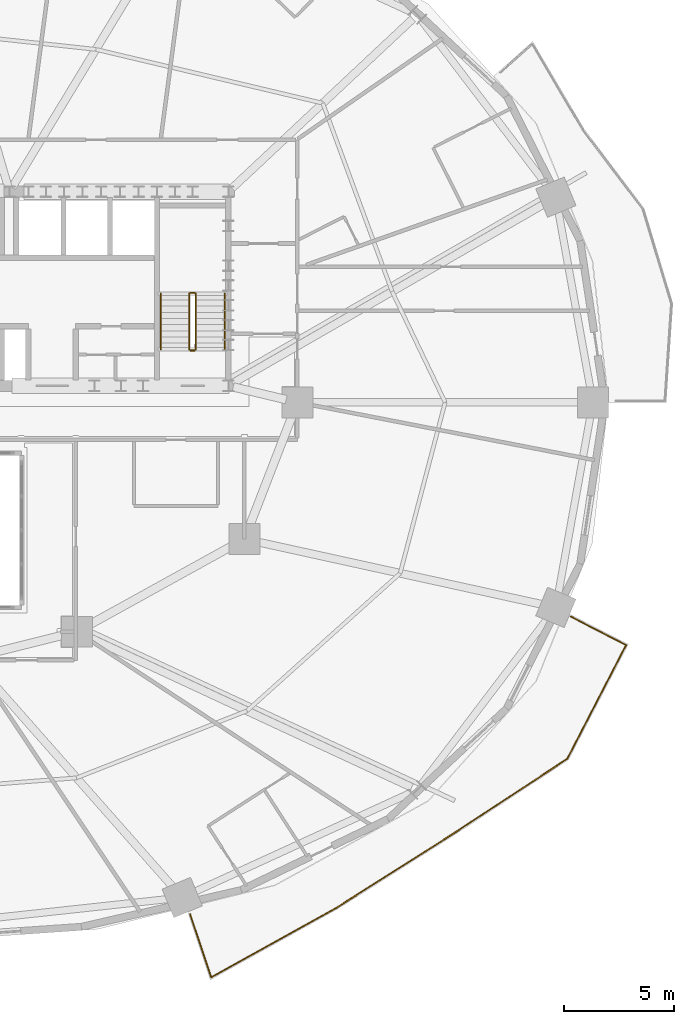
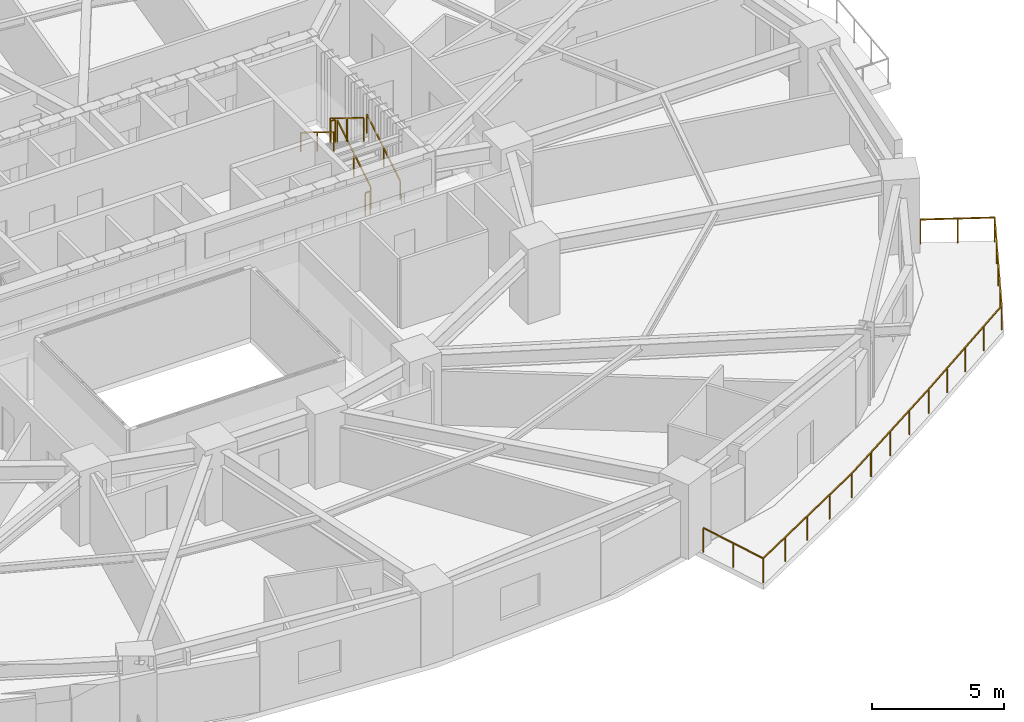
# One storey, part 16 of 17: 7 railings.
"""IFC4 building model written with IfcOpenShell, lengths in metres."""

from ifc_helpers import new_model, si_unit, direction, frame, origin, origin_2d, place, context, subcontext, project, spatial, rectangle, extrude, material, type_object, element, save


model = new_model("IFC4")

# Units and contexts
model_context = context("Model", 3, precision=1e-05, world=origin(), true_north=direction((0.0, 1.0)))
body_context = subcontext(model_context, "Body", "Model", "MODEL_VIEW")
ifc_project = project(units=[si_unit("LENGTHUNIT", "METRE"), si_unit("AREAUNIT", "SQUARE_METRE"), si_unit("VOLUMEUNIT", "CUBIC_METRE"), si_unit("PLANEANGLEUNIT", "RADIAN"), si_unit("MASSUNIT", "GRAM", prefix="KILO")], contexts=[model_context])

# Site, building, storey
site_placement = place(None, origin())
site = spatial("IfcSite", under=ifc_project, at=site_placement, CompositionType="ELEMENT")
building_placement = place(site_placement, origin())
building = spatial("IfcBuilding", under=site, at=building_placement, Name="Haldorwick Loom Tower", CompositionType="ELEMENT")
storey_placement = place(building_placement, frame((0.0, 0.0, 58.5)))
storey = spatial("IfcBuildingStorey", under=building, at=storey_placement, Name="L15", CompositionType="ELEMENT", Elevation=58.5)

# Railings
ifc_material_1 = material(Name="Galvanized Steel CSA G40.21 350W", Category="steel")
railing_type_1 = type_object("IfcRailingType", Name="ARC-RLG-BAL115", PredefinedType="BALUSTRADE", material=ifc_material_1)
railing_1_placement = place(storey_placement, frame((65.593017578125, 16.288818359375, 0.0)))
element("IfcRailing", 1, at=railing_1_placement, inside=storey, type_object=railing_type_1, Name="L15 Outdoor Terrace Guardrail SLB-L15-BAL_SE-1", PredefinedType="BALUSTRADE", context=body_context, shape_type="SweptSolid", body=[
    extrude(rectangle(XDim=0.048095703125, YDim=0.048095703125, at=origin_2d()), frame((0.0, 0.0, 1.1259765625), z_axis=(0.888909431133, -0.458082987289, 0.0), x_axis=(0.458082987289, 0.888909431133, 0.0)), (0.0, 0.0, 1.0), 2.821533203125),
    extrude(rectangle(XDim=0.048095703125, YDim=0.048095703125, at=origin_2d()), frame((2.508056640625, -1.29248046875, 1.1259765625), z_axis=(-0.459876733973, -0.887982764219, 0.0), x_axis=(0.887982764219, -0.459876733973, 0.0)), (0.0, 0.0, 1.0), 5.8095703125),
    extrude(rectangle(XDim=0.048095703125, YDim=0.048095703125, at=origin_2d()), frame((-0.16357421875, -6.451171875, 1.1259765625), z_axis=(-0.835627954214, -0.549295842089, 0.0), x_axis=(0.549295842089, -0.835627954214, 0.0)), (0.0, 0.0, 1.0), 6.153564453125),
    extrude(rectangle(XDim=0.048095703125, YDim=0.048095703125, at=origin_2d()), frame((-5.3056640625, -9.831298828125, 1.1259765625), z_axis=(-0.844437349753, -0.535654331021, 0.0), x_axis=(0.535654331021, -0.844437349753, 0.0)), (0.0, 0.0, 1.0), 6.277099609375),
    extrude(rectangle(XDim=0.048095703125, YDim=0.048095703125, at=origin_2d()), frame((-10.606201171875, -13.193603515625, 1.1259765625), z_axis=(-0.873916825296, -0.4860754905, 0.0), x_axis=(0.4860754905, -0.873916825296, 0.0)), (0.0, 0.0, 1.0), 6.516357421875),
    extrude(rectangle(XDim=0.048095703125, YDim=0.048095703125, at=origin_2d()), frame((-16.301025390625, -16.361083984375, 1.1259765625), z_axis=(-0.316567358246, 0.948570033099, 0.0), x_axis=(-0.948570033099, -0.316567358246, 0.0)), (0.0, 0.0, 1.0), 3.019287109375),
    extrude(rectangle(XDim=0.0419921875, YDim=0.0419921875, at=origin_2d()), origin(), (0.0, 0.0, 1.0), 1.101806640625),
    extrude(rectangle(XDim=0.0419921875, YDim=0.0419921875, at=origin_2d()), frame((1.25390625, -0.646240234375, 0.0)), (0.0, 0.0, 1.0), 1.101806640625),
    extrude(rectangle(XDim=0.0419921875, YDim=0.0419921875, at=origin_2d()), frame((2.508056640625, -1.29248046875, 0.0)), (0.0, 0.0, 1.0), 1.101806640625),
    extrude(rectangle(XDim=0.0419921875, YDim=0.0419921875, at=origin_2d()), frame((1.840087890625, -2.58203125, 0.0)), (0.0, 0.0, 1.0), 1.101806640625),
    extrude(rectangle(XDim=0.0419921875, YDim=0.0419921875, at=origin_2d()), frame((1.17236328125, -3.871826171875, 0.0)), (0.0, 0.0, 1.0), 1.101806640625),
    extrude(rectangle(XDim=0.0419921875, YDim=0.0419921875, at=origin_2d()), frame((0.50439453125, -5.16162109375, 0.0)), (0.0, 0.0, 1.0), 1.101806640625),
    extrude(rectangle(XDim=0.0419921875, YDim=0.0419921875, at=origin_2d()), frame((-0.16357421875, -6.451171875, 0.0)), (0.0, 0.0, 1.0), 1.101806640625),
    extrude(rectangle(XDim=0.0419921875, YDim=0.0419921875, at=origin_2d()), frame((-1.44921875, -7.296142578125, 0.0)), (0.0, 0.0, 1.0), 1.101806640625),
    extrude(rectangle(XDim=0.0419921875, YDim=0.0419921875, at=origin_2d()), frame((-2.734619140625, -8.14111328125, 0.0)), (0.0, 0.0, 1.0), 1.101806640625),
    extrude(rectangle(XDim=0.0419921875, YDim=0.0419921875, at=origin_2d()), frame((-4.02001953125, -8.986328125, 0.0)), (0.0, 0.0, 1.0), 1.101806640625),
    extrude(rectangle(XDim=0.0419921875, YDim=0.0419921875, at=origin_2d()), frame((-5.3056640625, -9.831298828125, 0.0)), (0.0, 0.0, 1.0), 1.101806640625),
    extrude(rectangle(XDim=0.0419921875, YDim=0.0419921875, at=origin_2d()), frame((-6.630859375, -10.671875, 0.0)), (0.0, 0.0, 1.0), 1.101806640625),
    extrude(rectangle(XDim=0.0419921875, YDim=0.0419921875, at=origin_2d()), frame((-7.9560546875, -11.512451171875, 0.0)), (0.0, 0.0, 1.0), 1.101806640625),
    extrude(rectangle(XDim=0.0419921875, YDim=0.0419921875, at=origin_2d()), frame((-9.281005859375, -12.35302734375, 0.0)), (0.0, 0.0, 1.0), 1.101806640625),
    extrude(rectangle(XDim=0.0419921875, YDim=0.0419921875, at=origin_2d()), frame((-10.606201171875, -13.193603515625, 0.0)), (0.0, 0.0, 1.0), 1.101806640625),
    extrude(rectangle(XDim=0.0419921875, YDim=0.0419921875, at=origin_2d()), frame((-12.02978515625, -13.9853515625, 0.0)), (0.0, 0.0, 1.0), 1.101806640625),
    extrude(rectangle(XDim=0.0419921875, YDim=0.0419921875, at=origin_2d()), frame((-13.45361328125, -14.77734375, 0.0)), (0.0, 0.0, 1.0), 1.101806640625),
    extrude(rectangle(XDim=0.0419921875, YDim=0.0419921875, at=origin_2d()), frame((-14.87744140625, -15.5693359375, 0.0)), (0.0, 0.0, 1.0), 1.101806640625),
    extrude(rectangle(XDim=0.0419921875, YDim=0.0419921875, at=origin_2d()), frame((-16.301025390625, -16.361083984375, 0.0)), (0.0, 0.0, 1.0), 1.101806640625),
    extrude(rectangle(XDim=0.0419921875, YDim=0.0419921875, at=origin_2d()), frame((-16.77880859375, -14.92919921875, 0.0)), (0.0, 0.0, 1.0), 1.101806640625),
    extrude(rectangle(XDim=0.0419921875, YDim=0.0419921875, at=origin_2d()), frame((-17.2568359375, -13.4970703125, 0.0)), (0.0, 0.0, 1.0), 1.101806640625),
])
ifc_material_2 = material(Name="Steel CSA G40.21 350W", Category="steel")
railing_type_2 = type_object("IfcRailingType", Name="ARC-RLG-GUARD112", PredefinedType="GUARDRAIL", material=ifc_material_2)
railing_2_placement = place(storey_placement, frame((48.60009765625, 28.39990234375, 0.172607421875)))
element("IfcRailing", 2, at=railing_2_placement, inside=storey, type_object=railing_type_2, Name="L15 ST-02 stair guard 1", PredefinedType="GUARDRAIL", context=body_context, shape_type="SweptSolid", body=[
    extrude(rectangle(XDim=0.048095703125, YDim=0.048095703125, at=origin_2d()), frame((0.0, 0.0, 1.076171875), z_axis=(0.0, 0.851400495292, 0.524516154772), x_axis=(-1.0, 0.0, 0.0)), (0.0, 0.0, 1.0), 2.9599609375),
    extrude(rectangle(XDim=0.0419921875, YDim=0.0419921875, at=origin_2d()), origin(), (0.0, 0.0, 1.0), 1.052001953125),
    extrude(rectangle(XDim=0.0419921875, YDim=0.0419921875, at=origin_2d()), frame((0.0, 1.260009765625, 0.7763671875)), (0.0, 0.0, 1.0), 1.052001953125),
    extrude(rectangle(XDim=0.0419921875, YDim=0.0419921875, at=origin_2d()), frame((0.0, 2.52001953125, 1.552490234375)), (0.0, 0.0, 1.0), 1.052001953125),
])
railing_3_placement = place(storey_placement, frame((48.550048828125, 30.969970703125, 1.72509765625)))
element("IfcRailing", 3, at=railing_3_placement, inside=storey, type_object=railing_type_2, Name="L15 ST-02 stair guard 2", PredefinedType="GUARDRAIL", context=body_context, shape_type="SweptSolid", body=[
    extrude(rectangle(XDim=0.048095703125, YDim=0.048095703125, at=origin_2d()), frame((0.0, 0.0, 1.076171875), z_axis=(-1.0, 0.0, 0.0), x_axis=(0.0, -1.0, 0.0)), (0.0, 0.0, 1.0), 0.199951171875),
    extrude(rectangle(XDim=0.0419921875, YDim=0.0419921875, at=origin_2d()), origin(), (0.0, 0.0, 1.0), 1.052001953125),
    extrude(rectangle(XDim=0.0419921875, YDim=0.0419921875, at=origin_2d()), frame((-0.199951171875, 0.0, 0.0)), (0.0, 0.0, 1.0), 1.052001953125),
])
railing_4_placement = place(storey_placement, frame((48.300048828125, 30.919921875, 1.8974609375)))
element("IfcRailing", 4, at=railing_4_placement, inside=storey, type_object=railing_type_2, Name="L15 ST-02 stair guard 3", PredefinedType="GUARDRAIL", context=body_context, shape_type="SweptSolid", body=[
    extrude(rectangle(XDim=0.048095703125, YDim=0.048095703125, at=origin_2d()), frame((0.0, 0.0, 1.076171875), z_axis=(0.0, -0.851400495292, 0.524516154772), x_axis=(1.0, 0.0, 0.0)), (0.0, 0.0, 1.0), 2.9599609375),
    extrude(rectangle(XDim=0.0419921875, YDim=0.0419921875, at=origin_2d()), origin(), (0.0, 0.0, 1.0), 1.052001953125),
    extrude(rectangle(XDim=0.0419921875, YDim=0.0419921875, at=origin_2d()), frame((0.0, -1.260009765625, 0.7763671875)), (0.0, 0.0, 1.0), 1.052001953125),
    extrude(rectangle(XDim=0.0419921875, YDim=0.0419921875, at=origin_2d()), frame((0.0, -2.52001953125, 1.552490234375)), (0.0, 0.0, 1.0), 1.052001953125),
])
railing_5_placement = place(storey_placement, frame((48.550048828125, 28.35009765625, 0.0)))
element("IfcRailing", 5, at=railing_5_placement, inside=storey, type_object=railing_type_2, Name="L15 ST-02 stair guard 4", PredefinedType="GUARDRAIL", context=body_context, shape_type="SweptSolid", body=[
    extrude(rectangle(XDim=0.048095703125, YDim=0.048095703125, at=origin_2d()), frame((0.0, 0.0, 1.076171875), z_axis=(-1.0, 0.0, 0.0), x_axis=(0.0, -1.0, 0.0)), (0.0, 0.0, 1.0), 0.199951171875),
    extrude(rectangle(XDim=0.0419921875, YDim=0.0419921875, at=origin_2d()), origin(), (0.0, 0.0, 1.0), 1.052001953125),
    extrude(rectangle(XDim=0.0419921875, YDim=0.0419921875, at=origin_2d()), frame((-0.199951171875, 0.0, 0.0)), (0.0, 0.0, 1.0), 1.052001953125),
])
railing_type_3 = type_object("IfcRailingType", Name="ARC-RLG-HAND092", PredefinedType="HANDRAIL", material=ifc_material_2)
railing_6_placement = place(storey_placement, frame((49.89990234375, 28.39990234375, 0.172607421875)))
element("IfcRailing", 6, at=railing_6_placement, inside=storey, type_object=railing_type_3, Name="L15 ST-02 stair handrail 1", PredefinedType="HANDRAIL", context=body_context, shape_type="SweptSolid", body=[
    extrude(rectangle(XDim=0.048095703125, YDim=0.048095703125, at=origin_2d()), frame((0.0, 0.0, 0.8759765625), z_axis=(0.0, 0.851400495292, 0.524516154772), x_axis=(-1.0, 0.0, 0.0)), (0.0, 0.0, 1.0), 2.9599609375),
    extrude(rectangle(XDim=0.0419921875, YDim=0.0419921875, at=origin_2d()), origin(), (0.0, 0.0, 1.0), 0.851806640625),
    extrude(rectangle(XDim=0.0419921875, YDim=0.0419921875, at=origin_2d()), frame((0.0, 1.260009765625, 0.7763671875)), (0.0, 0.0, 1.0), 0.851806640625),
    extrude(rectangle(XDim=0.0419921875, YDim=0.0419921875, at=origin_2d()), frame((0.0, 2.52001953125, 1.552490234375)), (0.0, 0.0, 1.0), 0.851806640625),
])
railing_7_placement = place(storey_placement, frame((47.0, 30.919921875, 1.8974609375)))
element("IfcRailing", 7, at=railing_7_placement, inside=storey, type_object=railing_type_3, Name="L15 ST-02 stair handrail 2", PredefinedType="HANDRAIL", context=body_context, shape_type="SweptSolid", body=[
    extrude(rectangle(XDim=0.048095703125, YDim=0.048095703125, at=origin_2d()), frame((0.0, 0.0, 0.8759765625), z_axis=(0.0, -0.851400495292, 0.524516154772), x_axis=(1.0, 0.0, 0.0)), (0.0, 0.0, 1.0), 2.9599609375),
    extrude(rectangle(XDim=0.0419921875, YDim=0.0419921875, at=origin_2d()), origin(), (0.0, 0.0, 1.0), 0.851806640625),
    extrude(rectangle(XDim=0.0419921875, YDim=0.0419921875, at=origin_2d()), frame((0.0, -1.260009765625, 0.7763671875)), (0.0, 0.0, 1.0), 0.851806640625),
    extrude(rectangle(XDim=0.0419921875, YDim=0.0419921875, at=origin_2d()), frame((0.0, -2.52001953125, 1.552490234375)), (0.0, 0.0, 1.0), 0.851806640625),
])

save(model, "model.ifc")
